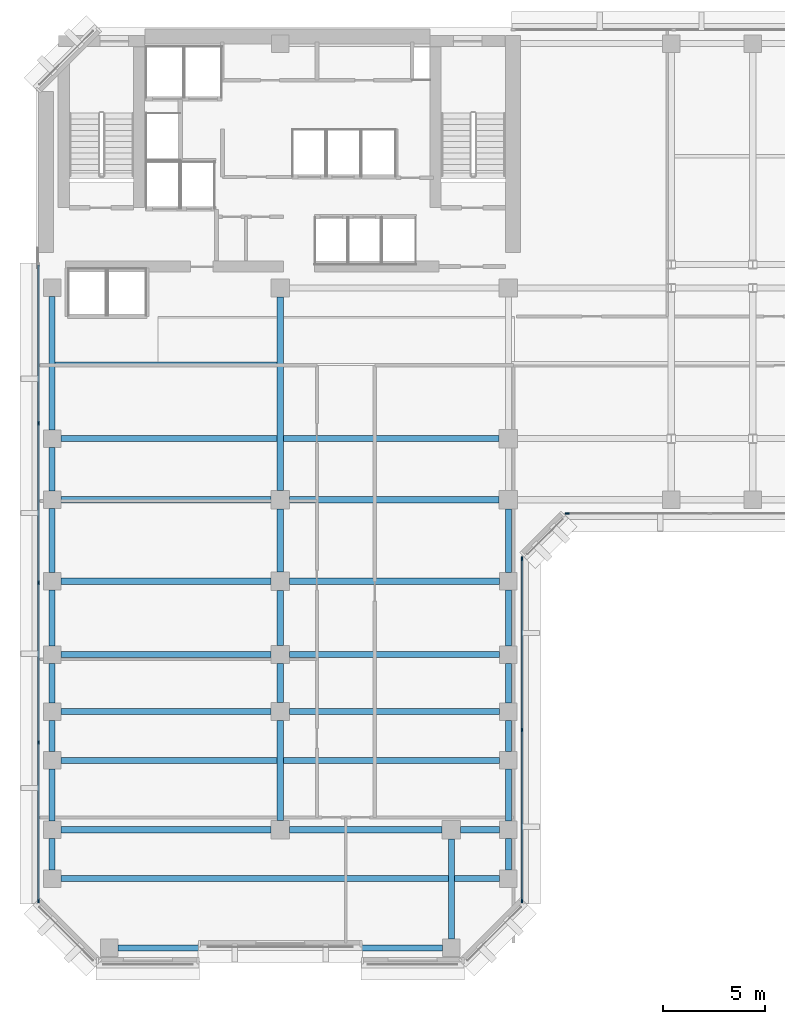
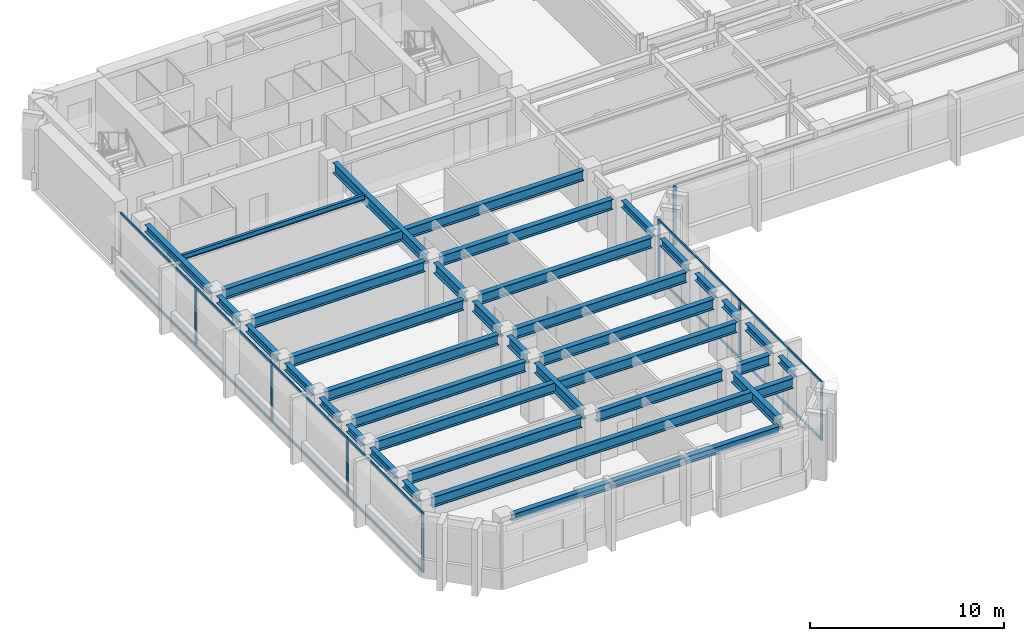
# One storey, part 2 of 11: 36 beams, 20 members, 3 elements without a shape of their own.
"""IFC4 building model written with IfcOpenShell, lengths in metres."""

from ifc_helpers import new_model, si_unit, direction, frame, origin, origin_2d, place, context, subcontext, project, spatial, rectangle, i_section, extrude, material, layer, layer_set, material_profile, profile_set, type_object, element, aggregate, save


model = new_model("IFC4")

# Units and contexts
model_context = context("Model", 3, precision=1e-05, world=origin(), true_north=direction((0.0, 1.0)))
body_context = subcontext(model_context, "Body", "Model", "MODEL_VIEW")
ifc_project = project(units=[si_unit("LENGTHUNIT", "METRE"), si_unit("AREAUNIT", "SQUARE_METRE"), si_unit("VOLUMEUNIT", "CUBIC_METRE"), si_unit("PLANEANGLEUNIT", "RADIAN"), si_unit("MASSUNIT", "GRAM", prefix="KILO")], contexts=[model_context])

# Site, building, storey
site_placement = place(None, origin())
site = spatial("IfcSite", under=ifc_project, at=site_placement, CompositionType="ELEMENT")
building_placement = place(site_placement, origin())
building = spatial("IfcBuilding", under=site, at=building_placement, Name="Kefirva Bronze Tower", CompositionType="ELEMENT")
storey_placement = place(building_placement, frame((0.0, 0.0, 162.68994140625)))
storey = spatial("IfcBuildingStorey", under=building, at=storey_placement, Name="L39", CompositionType="ELEMENT", Elevation=162.68994140625)

# Curtain wall, members
ifc_material_1 = material(Name="Bronze anodised aluminium", Category="aluminium")
ifc_layer = layer(ifc_material_1, 0.199951171875, Name="Bronze anodised aluminium")
ifc_layer_set = layer_set([ifc_layer], Name="Bronze anodised aluminium")
curtain_wall_type = type_object("IfcCurtainWallType", Name="Unitised Bronze Ribbon Curtain Wall Zone 2", PredefinedType="USERDEFINED", material=ifc_layer_set)
curtain_wall_1_placement = place(storey_placement, origin())
curtain_wall_1 = element("IfcCurtainWall", 1, at=curtain_wall_1_placement, inside=storey, type_object=curtain_wall_type, Name="L39 Curtain Wall 1", ObjectType="UNITISED CURTAIN WALL", PredefinedType="USERDEFINED")
ifc_material_profile_1 = material_profile(ifc_material_1, rectangle(XDim=0.074951171875, YDim=0.179931640625, at=origin_2d()), Name="ALU 75x180")
ifc_profile_set_1 = profile_set([ifc_material_profile_1], Name="Bronze anodised aluminium")
member_type_1 = type_object("IfcMemberType", Name="Bronze Mullion 75x180", PredefinedType="MULLION", material=ifc_profile_set_1)
member_1_placement = place(storey_placement, frame((23.8798828125, 3.092529296875, 0.0), z_axis=(0.0, 0.0, 1.0), x_axis=(-1.0, 0.0, 0.0)))
member_1 = element("IfcMember", 2, at=member_1_placement, type_object=member_type_1, Name="CW-02 mullion 1", PredefinedType="MULLION", context=body_context, shape_type="SweptSolid", body=[
    extrude(rectangle(XDim=0.074951171875, YDim=0.179931640625, at=origin_2d()), origin(), (0.0, 0.0, 1.0), 3.7099609375),
])
member_2_placement = place(storey_placement, frame((23.8798828125, 11.5, 0.0), z_axis=(0.0, 0.0, 1.0), x_axis=(-1.0, 0.0, 0.0)))
member_2 = element("IfcMember", 3, at=member_2_placement, type_object=member_type_1, Name="CW-02 mullion 2", PredefinedType="MULLION", context=body_context, shape_type="SweptSolid", body=[
    extrude(rectangle(XDim=0.074951171875, YDim=0.179931640625, at=origin_2d()), origin(), (0.0, 0.0, 1.0), 3.7099609375),
])
member_3_placement = place(storey_placement, frame((23.8798828125, 19.907470703125, 0.0), z_axis=(0.0, 0.0, 1.0), x_axis=(-1.0, 0.0, 0.0)))
member_3 = element("IfcMember", 4, at=member_3_placement, type_object=member_type_1, Name="CW-02 mullion 3", PredefinedType="MULLION", context=body_context, shape_type="SweptSolid", body=[
    extrude(rectangle(XDim=0.074951171875, YDim=0.179931640625, at=origin_2d()), origin(), (0.0, 0.0, 1.0), 3.7099609375),
])

# Curtain wall, member
curtain_wall_2_placement = place(storey_placement, origin())
curtain_wall_2 = element("IfcCurtainWall", 5, at=curtain_wall_2_placement, inside=storey, type_object=curtain_wall_type, Name="L39 Curtain Wall 2", ObjectType="UNITISED CURTAIN WALL", PredefinedType="USERDEFINED")
member_4_placement = place(storey_placement, frame((26.092529296875, 22.1201171875, 0.0), z_axis=(0.0, 0.0, 1.0), x_axis=(0.0, 1.0, 0.0)))
member_4 = element("IfcMember", 6, at=member_4_placement, type_object=member_type_1, Name="CW-02 mullion 1", PredefinedType="MULLION", context=body_context, shape_type="SweptSolid", body=[
    extrude(rectangle(XDim=0.074951171875, YDim=0.179931640625, at=origin_2d()), origin(), (0.0, 0.0, 1.0), 3.7099609375),
])
aggregate(curtain_wall_2, [member_4])

# Curtain wall, members
curtain_wall_3_placement = place(storey_placement, origin())
curtain_wall_3 = element("IfcCurtainWall", 7, at=curtain_wall_3_placement, inside=storey, type_object=curtain_wall_type, Name="L39 Curtain Wall 5", ObjectType="UNITISED CURTAIN WALL", PredefinedType="USERDEFINED")
member_5_placement = place(storey_placement, frame((0.1201171875, 26.56005859375, 0.0), z_axis=(0.0, 0.0, 1.0), x_axis=(1.0, 0.0, 0.0)))
member_5 = element("IfcMember", 8, at=member_5_placement, type_object=member_type_1, Name="CW-02 mullion 2", PredefinedType="MULLION", context=body_context, shape_type="SweptSolid", body=[
    extrude(rectangle(XDim=0.074951171875, YDim=0.179931640625, at=origin_2d()), origin(), (0.0, 0.0, 1.0), 3.7099609375),
])
member_6_placement = place(storey_placement, frame((0.1201171875, 18.72509765625, 0.0), z_axis=(0.0, 0.0, 1.0), x_axis=(1.0, 0.0, 0.0)))
member_6 = element("IfcMember", 9, at=member_6_placement, type_object=member_type_1, Name="CW-02 mullion 3", PredefinedType="MULLION", context=body_context, shape_type="SweptSolid", body=[
    extrude(rectangle(XDim=0.074951171875, YDim=0.179931640625, at=origin_2d()), origin(), (0.0, 0.0, 1.0), 3.7099609375),
])
member_7_placement = place(storey_placement, frame((0.1201171875, 10.889892578125, 0.0), z_axis=(0.0, 0.0, 1.0), x_axis=(1.0, 0.0, 0.0)))
member_7 = element("IfcMember", 10, at=member_7_placement, type_object=member_type_1, Name="CW-02 mullion 4", PredefinedType="MULLION", context=body_context, shape_type="SweptSolid", body=[
    extrude(rectangle(XDim=0.074951171875, YDim=0.179931640625, at=origin_2d()), origin(), (0.0, 0.0, 1.0), 3.7099609375),
])
member_8_placement = place(storey_placement, frame((0.1201171875, 3.092529296875, 0.0), z_axis=(0.0, 0.0, 1.0), x_axis=(1.0, 0.0, 0.0)))
member_8 = element("IfcMember", 11, at=member_8_placement, type_object=member_type_1, Name="CW-02 mullion 5", PredefinedType="MULLION", context=body_context, shape_type="SweptSolid", body=[
    extrude(rectangle(XDim=0.074951171875, YDim=0.179931640625, at=origin_2d()), origin(), (0.0, 0.0, 1.0), 3.7099609375),
])

# Member
ifc_material_profile_2 = material_profile(ifc_material_1, rectangle(XDim=0.074951171875, YDim=0.14990234375, at=origin_2d()), Name="ALU 75x150")
ifc_profile_set_2 = profile_set([ifc_material_profile_2], Name="Bronze anodised aluminium")
member_type_2 = type_object("IfcMemberType", Name="Bronze Transom 75x150", PredefinedType="USERDEFINED", material=ifc_profile_set_2)
member_9_placement = place(storey_placement, frame((23.8798828125, 3.1298828125, 0.03759765625), z_axis=(0.0, 1.0, 0.0), x_axis=(-1.0, 0.0, 0.0)))
member_9 = element("IfcMember", 12, at=member_9_placement, type_object=member_type_2, Name="CW-02 transom 1.1", ObjectType="TRANSOM", PredefinedType="USERDEFINED", context=body_context, shape_type="SweptSolid", body=[
    extrude(rectangle(XDim=0.074951171875, YDim=0.14990234375, at=origin_2d()), origin(), (0.0, 0.0, 1.0), 8.33251953125),
])

member_10_placement = place(storey_placement, frame((23.8798828125, 3.1298828125, 3.672607421875), z_axis=(0.0, 1.0, 0.0), x_axis=(-1.0, 0.0, 0.0)))
member_10 = element("IfcMember", 13, at=member_10_placement, type_object=member_type_2, Name="CW-02 transom 1.2", ObjectType="TRANSOM", PredefinedType="USERDEFINED", context=body_context, shape_type="SweptSolid", body=[
    extrude(rectangle(XDim=0.074951171875, YDim=0.14990234375, at=origin_2d()), origin(), (0.0, 0.0, 1.0), 8.33251953125),
])

member_11_placement = place(storey_placement, frame((23.8798828125, 11.53759765625, 0.03759765625), z_axis=(0.0, 1.0, 0.0), x_axis=(-1.0, 0.0, 0.0)))
member_11 = element("IfcMember", 14, at=member_11_placement, type_object=member_type_2, Name="CW-02 transom 2.1", ObjectType="TRANSOM", PredefinedType="USERDEFINED", context=body_context, shape_type="SweptSolid", body=[
    extrude(rectangle(XDim=0.074951171875, YDim=0.14990234375, at=origin_2d()), origin(), (0.0, 0.0, 1.0), 8.33251953125),
])

member_12_placement = place(storey_placement, frame((23.8798828125, 11.53759765625, 3.672607421875), z_axis=(0.0, 1.0, 0.0), x_axis=(-1.0, 0.0, 0.0)))
member_12 = element("IfcMember", 15, at=member_12_placement, type_object=member_type_2, Name="CW-02 transom 2.2", ObjectType="TRANSOM", PredefinedType="USERDEFINED", context=body_context, shape_type="SweptSolid", body=[
    extrude(rectangle(XDim=0.074951171875, YDim=0.14990234375, at=origin_2d()), origin(), (0.0, 0.0, 1.0), 8.33251953125),
])

aggregate(curtain_wall_1, [member_1, member_2, member_3, member_9, member_10, member_11, member_12])

member_13_placement = place(storey_placement, frame((0.1201171875, 34.320068359375, 0.03759765625), z_axis=(0.0, -1.0, 0.0), x_axis=(1.0, 0.0, 0.0)))
member_13 = element("IfcMember", 16, at=member_13_placement, type_object=member_type_2, Name="CW-02 transom 1.1", ObjectType="TRANSOM", PredefinedType="USERDEFINED", context=body_context, shape_type="SweptSolid", body=[
    extrude(rectangle(XDim=0.074951171875, YDim=0.14990234375, at=origin_2d()), origin(), (0.0, 0.0, 1.0), 7.72265625),
])

member_14_placement = place(storey_placement, frame((0.1201171875, 34.320068359375, 3.672607421875), z_axis=(0.0, -1.0, 0.0), x_axis=(1.0, 0.0, 0.0)))
member_14 = element("IfcMember", 17, at=member_14_placement, type_object=member_type_2, Name="CW-02 transom 1.2", ObjectType="TRANSOM", PredefinedType="USERDEFINED", context=body_context, shape_type="SweptSolid", body=[
    extrude(rectangle(XDim=0.074951171875, YDim=0.14990234375, at=origin_2d()), origin(), (0.0, 0.0, 1.0), 7.72265625),
])

member_15_placement = place(storey_placement, frame((0.1201171875, 26.5224609375, 0.03759765625), z_axis=(0.0, -1.0, 0.0), x_axis=(1.0, 0.0, 0.0)))
member_15 = element("IfcMember", 18, at=member_15_placement, type_object=member_type_2, Name="CW-02 transom 2.1", ObjectType="TRANSOM", PredefinedType="USERDEFINED", context=body_context, shape_type="SweptSolid", body=[
    extrude(rectangle(XDim=0.074951171875, YDim=0.14990234375, at=origin_2d()), origin(), (0.0, 0.0, 1.0), 7.760009765625),
])

member_16_placement = place(storey_placement, frame((0.1201171875, 26.5224609375, 3.672607421875), z_axis=(0.0, -1.0, 0.0), x_axis=(1.0, 0.0, 0.0)))
member_16 = element("IfcMember", 19, at=member_16_placement, type_object=member_type_2, Name="CW-02 transom 2.2", ObjectType="TRANSOM", PredefinedType="USERDEFINED", context=body_context, shape_type="SweptSolid", body=[
    extrude(rectangle(XDim=0.074951171875, YDim=0.14990234375, at=origin_2d()), origin(), (0.0, 0.0, 1.0), 7.760009765625),
])

member_17_placement = place(storey_placement, frame((0.1201171875, 18.6875, 0.03759765625), z_axis=(0.0, -1.0, 0.0), x_axis=(1.0, 0.0, 0.0)))
member_17 = element("IfcMember", 20, at=member_17_placement, type_object=member_type_2, Name="CW-02 transom 3.1", ObjectType="TRANSOM", PredefinedType="USERDEFINED", context=body_context, shape_type="SweptSolid", body=[
    extrude(rectangle(XDim=0.074951171875, YDim=0.14990234375, at=origin_2d()), origin(), (0.0, 0.0, 1.0), 7.760009765625),
])

member_18_placement = place(storey_placement, frame((0.1201171875, 18.6875, 3.672607421875), z_axis=(0.0, -1.0, 0.0), x_axis=(1.0, 0.0, 0.0)))
member_18 = element("IfcMember", 21, at=member_18_placement, type_object=member_type_2, Name="CW-02 transom 3.2", ObjectType="TRANSOM", PredefinedType="USERDEFINED", context=body_context, shape_type="SweptSolid", body=[
    extrude(rectangle(XDim=0.074951171875, YDim=0.14990234375, at=origin_2d()), origin(), (0.0, 0.0, 1.0), 7.760009765625),
])

member_19_placement = place(storey_placement, frame((0.1201171875, 10.8525390625, 0.03759765625), z_axis=(0.0, -1.0, 0.0), x_axis=(1.0, 0.0, 0.0)))
member_19 = element("IfcMember", 22, at=member_19_placement, type_object=member_type_2, Name="CW-02 transom 4.1", ObjectType="TRANSOM", PredefinedType="USERDEFINED", context=body_context, shape_type="SweptSolid", body=[
    extrude(rectangle(XDim=0.074951171875, YDim=0.14990234375, at=origin_2d()), origin(), (0.0, 0.0, 1.0), 7.72265625),
])

member_20_placement = place(storey_placement, frame((0.1201171875, 10.8525390625, 3.672607421875), z_axis=(0.0, -1.0, 0.0), x_axis=(1.0, 0.0, 0.0)))
member_20 = element("IfcMember", 23, at=member_20_placement, type_object=member_type_2, Name="CW-02 transom 4.2", ObjectType="TRANSOM", PredefinedType="USERDEFINED", context=body_context, shape_type="SweptSolid", body=[
    extrude(rectangle(XDim=0.074951171875, YDim=0.14990234375, at=origin_2d()), origin(), (0.0, 0.0, 1.0), 7.72265625),
])

aggregate(curtain_wall_3, [member_5, member_6, member_7, member_8, member_13, member_14, member_15, member_16, member_17, member_18, member_19, member_20])

# Beams
ifc_material_2 = material(Name="Steel S355", Category="steel")
ifc_material_profile_3 = material_profile(ifc_material_2, i_section(OverallWidth=0.159912109375, OverallDepth=0.330078125, WebThickness=0.007568359375, FlangeThickness=0.011474609375, at=origin_2d()), Name="IPE 330")
ifc_profile_set_3 = profile_set([ifc_material_profile_3], Name="Steel S355")
beam_type_1 = type_object("IfcBeamType", Name="Steel Floor Joist IPE 330", PredefinedType="JOIST", material=ifc_profile_set_3)
beam_1_placement = place(storey_placement, frame((0.949951171875, 29.489990234375, 3.545166015625), z_axis=(1.0, 0.0, 0.0), x_axis=(0.0, 1.0, 0.0)))
element("IfcBeam", 24, at=beam_1_placement, inside=storey, type_object=beam_type_1, Name="L39 JST-L39-0-294", PredefinedType="JOIST", context=body_context, shape_type="SweptSolid", body=[
    extrude(i_section(OverallWidth=0.159912109375, OverallDepth=0.330078125, WebThickness=0.007568359375, FlangeThickness=0.011474609375, at=origin_2d()), origin(), (0.0, 0.0, 1.0), 10.900146484375),
])
ifc_material_profile_4 = material_profile(ifc_material_2, i_section(OverallWidth=0.300048828125, OverallDepth=0.64990234375, WebThickness=0.01611328125, FlangeThickness=0.031005859375, at=origin_2d()), Name="HEB 650")
ifc_profile_set_4 = profile_set([ifc_material_profile_4], Name="Steel S355")
beam_type_2 = type_object("IfcBeamType", Name="Steel Girder HEB 650", PredefinedType="USERDEFINED", material=ifc_profile_set_4)
beam_2_placement = place(storey_placement, frame((1.22998046875, 4.199951171875, 3.385009765625), z_axis=(1.0, 0.0, 0.0), x_axis=(0.0, 1.0, 0.0)))
element("IfcBeam", 25, at=beam_2_placement, inside=storey, type_object=beam_type_2, Name="L39 BM-L39-EW-0-42", ObjectType="GIRDER", PredefinedType="USERDEFINED", context=body_context, shape_type="SweptSolid", body=[
    extrude(i_section(OverallWidth=0.300048828125, OverallDepth=0.64990234375, WebThickness=0.01611328125, FlangeThickness=0.031005859375, at=origin_2d()), origin(), (0.0, 0.0, 1.0), 21.5400390625),
])
beam_3_placement = place(storey_placement, frame((1.22998046875, 6.60009765625, 3.385009765625), z_axis=(1.0, 0.0, 0.0), x_axis=(0.0, 1.0, 0.0)))
element("IfcBeam", 26, at=beam_3_placement, inside=storey, type_object=beam_type_2, Name="L39 BM-L39-EW-0-66", ObjectType="GIRDER", PredefinedType="USERDEFINED", context=body_context, shape_type="SweptSolid", body=[
    extrude(i_section(OverallWidth=0.300048828125, OverallDepth=0.64990234375, WebThickness=0.01611328125, FlangeThickness=0.031005859375, at=origin_2d()), origin(), (0.0, 0.0, 1.0), 10.320068359375),
])
beam_4_placement = place(storey_placement, frame((12.449951171875, 6.60009765625, 3.385009765625), z_axis=(1.0, 0.0, 0.0), x_axis=(0.0, 1.0, 0.0)))
element("IfcBeam", 27, at=beam_4_placement, inside=storey, type_object=beam_type_2, Name="L39 BM-L39-EW-12-66", ObjectType="GIRDER", PredefinedType="USERDEFINED", context=body_context, shape_type="SweptSolid", body=[
    extrude(i_section(OverallWidth=0.300048828125, OverallDepth=0.64990234375, WebThickness=0.01611328125, FlangeThickness=0.031005859375, at=origin_2d()), origin(), (0.0, 0.0, 1.0), 7.5),
])
beam_5_placement = place(storey_placement, frame((20.85009765625, 6.60009765625, 3.385009765625), z_axis=(1.0, 0.0, 0.0), x_axis=(0.0, 1.0, 0.0)))
element("IfcBeam", 28, at=beam_5_placement, inside=storey, type_object=beam_type_2, Name="L39 BM-L39-EW-20-66", ObjectType="GIRDER", PredefinedType="USERDEFINED", context=body_context, shape_type="SweptSolid", body=[
    extrude(i_section(OverallWidth=0.300048828125, OverallDepth=0.64990234375, WebThickness=0.01611328125, FlangeThickness=0.031005859375, at=origin_2d()), origin(), (0.0, 0.0, 1.0), 1.919921875),
])
beam_6_placement = place(storey_placement, frame((1.22998046875, 10.0, 3.385009765625), z_axis=(1.0, 0.0, 0.0), x_axis=(0.0, 1.0, 0.0)))
element("IfcBeam", 29, at=beam_6_placement, inside=storey, type_object=beam_type_2, Name="L39 BM-L39-EW-0-100", ObjectType="GIRDER", PredefinedType="USERDEFINED", context=body_context, shape_type="SweptSolid", body=[
    extrude(i_section(OverallWidth=0.300048828125, OverallDepth=0.64990234375, WebThickness=0.01611328125, FlangeThickness=0.031005859375, at=origin_2d()), origin(), (0.0, 0.0, 1.0), 21.5400390625),
])
for number, where, z_axis, x_axis, name in (
    (30, (1.22998046875, 12.39990234375, 3.385009765625), (1.0, 0.0, 0.0), (0.0, 1.0, 0.0), "L39 BM-L39-EW-0-124"),
    (31, (12.449951171875, 12.39990234375, 3.385009765625), (1.0, 0.0, 0.0), (0.0, 1.0, 0.0), "L39 BM-L39-EW-12-124"),
    (32, (1.22998046875, 15.199951171875, 3.385009765625), (1.0, 0.0, 0.0), (0.0, 1.0, 0.0), "L39 BM-L39-EW-0-152"),
    (33, (12.449951171875, 15.199951171875, 3.385009765625), (1.0, 0.0, 0.0), (0.0, 1.0, 0.0), "L39 BM-L39-EW-12-152"),
    (34, (1.22998046875, 18.800048828125, 3.385009765625), (1.0, 0.0, 0.0), (0.0, 1.0, 0.0), "L39 BM-L39-EW-0-188"),
    (35, (12.449951171875, 18.800048828125, 3.385009765625), (1.0, 0.0, 0.0), (0.0, 1.0, 0.0), "L39 BM-L39-EW-12-188"),
    (36, (1.22998046875, 22.800048828125, 3.385009765625), (1.0, 0.0, 0.0), (0.0, 1.0, 0.0), "L39 BM-L39-EW-0-228"),
):
    element("IfcBeam", number, at=place(storey_placement, frame(where, z_axis=z_axis, x_axis=x_axis)), inside=storey, type_object=beam_type_2, Name=name, ObjectType="GIRDER", PredefinedType="USERDEFINED", context=body_context, shape_type="SweptSolid", body=[
        extrude(i_section(OverallWidth=0.300048828125, OverallDepth=0.64990234375, WebThickness=0.01611328125, FlangeThickness=0.031005859375, at=origin_2d()), origin(), (0.0, 0.0, 1.0), 10.320068359375),
    ])
beam_7_placement = place(storey_placement, frame((12.449951171875, 22.800048828125, 3.385009765625), z_axis=(1.0, 0.0, 0.0), x_axis=(0.0, 1.0, 0.0)))
element("IfcBeam", 37, at=beam_7_placement, inside=storey, type_object=beam_type_2, Name="L39 BM-L39-EW-12-228", ObjectType="GIRDER", PredefinedType="USERDEFINED", context=body_context, shape_type="SweptSolid", body=[
    extrude(i_section(OverallWidth=0.300048828125, OverallDepth=0.64990234375, WebThickness=0.01611328125, FlangeThickness=0.031005859375, at=origin_2d()), origin(), (0.0, 0.0, 1.0), 10.300048828125),
])
beam_8_placement = place(storey_placement, frame((1.22998046875, 25.800048828125, 3.385009765625), z_axis=(1.0, 0.0, 0.0), x_axis=(0.0, 1.0, 0.0)))
element("IfcBeam", 38, at=beam_8_placement, inside=storey, type_object=beam_type_2, Name="L39 BM-L39-EW-0-258", ObjectType="GIRDER", PredefinedType="USERDEFINED", context=body_context, shape_type="SweptSolid", body=[
    extrude(i_section(OverallWidth=0.300048828125, OverallDepth=0.64990234375, WebThickness=0.01611328125, FlangeThickness=0.031005859375, at=origin_2d()), origin(), (0.0, 0.0, 1.0), 21.52001953125),
])
beam_9_placement = place(storey_placement, frame((12.0, 7.050048828125, 3.385009765625), z_axis=(0.0, 1.0, 0.0), x_axis=(-1.0, 0.0, 0.0)))
element("IfcBeam", 39, at=beam_9_placement, inside=storey, type_object=beam_type_2, Name="L39 BM-L39-NS-120-6", ObjectType="GIRDER", PredefinedType="USERDEFINED", context=body_context, shape_type="SweptSolid", body=[
    extrude(i_section(OverallWidth=0.300048828125, OverallDepth=0.64990234375, WebThickness=0.01611328125, FlangeThickness=0.031005859375, at=origin_2d()), origin(), (0.0, 0.0, 1.0), 4.89990234375),
])
beam_10_placement = place(storey_placement, frame((12.0, 12.85009765625, 3.385009765625), z_axis=(0.0, 1.0, 0.0), x_axis=(-1.0, 0.0, 0.0)))
element("IfcBeam", 40, at=beam_10_placement, inside=storey, type_object=beam_type_2, Name="L39 BM-L39-NS-120-12", ObjectType="GIRDER", PredefinedType="USERDEFINED", context=body_context, shape_type="SweptSolid", body=[
    extrude(i_section(OverallWidth=0.300048828125, OverallDepth=0.64990234375, WebThickness=0.01611328125, FlangeThickness=0.031005859375, at=origin_2d()), origin(), (0.0, 0.0, 1.0), 1.89990234375),
])
beam_11_placement = place(storey_placement, frame((12.0, 15.64990234375, 3.385009765625), z_axis=(0.0, 1.0, 0.0), x_axis=(-1.0, 0.0, 0.0)))
element("IfcBeam", 41, at=beam_11_placement, inside=storey, type_object=beam_type_2, Name="L39 BM-L39-NS-120-15", ObjectType="GIRDER", PredefinedType="USERDEFINED", context=body_context, shape_type="SweptSolid", body=[
    extrude(i_section(OverallWidth=0.300048828125, OverallDepth=0.64990234375, WebThickness=0.01611328125, FlangeThickness=0.031005859375, at=origin_2d()), origin(), (0.0, 0.0, 1.0), 2.7001953125),
])
beam_12_placement = place(storey_placement, frame((12.0, 19.25, 3.385009765625), z_axis=(0.0, 1.0, 0.0), x_axis=(-1.0, 0.0, 0.0)))
element("IfcBeam", 42, at=beam_12_placement, inside=storey, type_object=beam_type_2, Name="L39 BM-L39-NS-120-18", ObjectType="GIRDER", PredefinedType="USERDEFINED", context=body_context, shape_type="SweptSolid", body=[
    extrude(i_section(OverallWidth=0.300048828125, OverallDepth=0.64990234375, WebThickness=0.01611328125, FlangeThickness=0.031005859375, at=origin_2d()), origin(), (0.0, 0.0, 1.0), 3.10009765625),
])
beam_13_placement = place(storey_placement, frame((12.0, 23.25, 3.385009765625), z_axis=(0.0, 1.0, 0.0), x_axis=(-1.0, 0.0, 0.0)))
element("IfcBeam", 43, at=beam_13_placement, inside=storey, type_object=beam_type_2, Name="L39 BM-L39-NS-120-22", ObjectType="GIRDER", PredefinedType="USERDEFINED", context=body_context, shape_type="SweptSolid", body=[
    extrude(i_section(OverallWidth=0.300048828125, OverallDepth=0.64990234375, WebThickness=0.01611328125, FlangeThickness=0.031005859375, at=origin_2d()), origin(), (0.0, 0.0, 1.0), 9.5),
])
beam_14_placement = place(storey_placement, frame((20.39990234375, 1.22998046875, 3.385009765625), z_axis=(0.0, 1.0, 0.0), x_axis=(-1.0, 0.0, 0.0)))
element("IfcBeam", 44, at=beam_14_placement, inside=storey, type_object=beam_type_2, Name="L39 BM-L39-NS-204-0", ObjectType="GIRDER", PredefinedType="USERDEFINED", context=body_context, shape_type="SweptSolid", body=[
    extrude(i_section(OverallWidth=0.300048828125, OverallDepth=0.64990234375, WebThickness=0.01611328125, FlangeThickness=0.031005859375, at=origin_2d()), origin(), (0.0, 0.0, 1.0), 4.919921875),
])
ifc_material_profile_5 = material_profile(ifc_material_2, i_section(OverallWidth=0.300048828125, OverallDepth=0.449951171875, WebThickness=0.013916015625, FlangeThickness=0.02587890625, at=origin_2d()), Name="HEB 450")
ifc_profile_set_5 = profile_set([ifc_material_profile_5], Name="Steel S355")
beam_type_3 = type_object("IfcBeamType", Name="Steel Spandrel HEB 450 Ext", PredefinedType="SPANDREL", material=ifc_profile_set_5)
beam_15_placement = place(storey_placement, frame((4.030029296875, 0.800048828125, 3.485107421875), z_axis=(1.0, 0.0, 0.0), x_axis=(0.0, 1.0, 0.0)))
element("IfcBeam", 45, at=beam_15_placement, inside=storey, type_object=beam_type_3, Name="L39 BM-L39-EW-3-8", PredefinedType="SPANDREL", context=body_context, shape_type="SweptSolid", body=[
    extrude(i_section(OverallWidth=0.300048828125, OverallDepth=0.449951171875, WebThickness=0.013916015625, FlangeThickness=0.02587890625, at=origin_2d()), origin(), (0.0, 0.0, 1.0), 15.93994140625),
])
beam_16_placement = place(storey_placement, frame((0.800048828125, 4.6298828125, 3.485107421875), z_axis=(0.0, 1.0, 0.0), x_axis=(-1.0, 0.0, 0.0)))
element("IfcBeam", 46, at=beam_16_placement, inside=storey, type_object=beam_type_3, Name="L39 BM-L39-NS-8-4", PredefinedType="SPANDREL", context=body_context, shape_type="SweptSolid", body=[
    extrude(i_section(OverallWidth=0.300048828125, OverallDepth=0.449951171875, WebThickness=0.013916015625, FlangeThickness=0.02587890625, at=origin_2d()), origin(), (0.0, 0.0, 1.0), 1.5400390625),
])
beam_17_placement = place(storey_placement, frame((0.800048828125, 7.030029296875, 3.485107421875), z_axis=(0.0, 1.0, 0.0), x_axis=(-1.0, 0.0, 0.0)))
element("IfcBeam", 47, at=beam_17_placement, inside=storey, type_object=beam_type_3, Name="L39 BM-L39-NS-8-6", PredefinedType="SPANDREL", context=body_context, shape_type="SweptSolid", body=[
    extrude(i_section(OverallWidth=0.300048828125, OverallDepth=0.449951171875, WebThickness=0.013916015625, FlangeThickness=0.02587890625, at=origin_2d()), origin(), (0.0, 0.0, 1.0), 2.5400390625),
])
beam_18_placement = place(storey_placement, frame((0.800048828125, 10.429931640625, 3.485107421875), z_axis=(0.0, 1.0, 0.0), x_axis=(-1.0, 0.0, 0.0)))
element("IfcBeam", 48, at=beam_18_placement, inside=storey, type_object=beam_type_3, Name="L39 BM-L39-NS-8-10", PredefinedType="SPANDREL", context=body_context, shape_type="SweptSolid", body=[
    extrude(i_section(OverallWidth=0.300048828125, OverallDepth=0.449951171875, WebThickness=0.013916015625, FlangeThickness=0.02587890625, at=origin_2d()), origin(), (0.0, 0.0, 1.0), 1.5400390625),
])
beam_19_placement = place(storey_placement, frame((0.800048828125, 12.830078125, 3.485107421875), z_axis=(0.0, 1.0, 0.0), x_axis=(-1.0, 0.0, 0.0)))
element("IfcBeam", 49, at=beam_19_placement, inside=storey, type_object=beam_type_3, Name="L39 BM-L39-NS-8-12", PredefinedType="SPANDREL", context=body_context, shape_type="SweptSolid", body=[
    extrude(i_section(OverallWidth=0.300048828125, OverallDepth=0.449951171875, WebThickness=0.013916015625, FlangeThickness=0.02587890625, at=origin_2d()), origin(), (0.0, 0.0, 1.0), 1.93994140625),
])
beam_20_placement = place(storey_placement, frame((0.800048828125, 15.6298828125, 3.485107421875), z_axis=(0.0, 1.0, 0.0), x_axis=(-1.0, 0.0, 0.0)))
element("IfcBeam", 50, at=beam_20_placement, inside=storey, type_object=beam_type_3, Name="L39 BM-L39-NS-8-15", PredefinedType="SPANDREL", context=body_context, shape_type="SweptSolid", body=[
    extrude(i_section(OverallWidth=0.300048828125, OverallDepth=0.449951171875, WebThickness=0.013916015625, FlangeThickness=0.02587890625, at=origin_2d()), origin(), (0.0, 0.0, 1.0), 2.740234375),
])
beam_21_placement = place(storey_placement, frame((0.800048828125, 19.22998046875, 3.485107421875), z_axis=(0.0, 1.0, 0.0), x_axis=(-1.0, 0.0, 0.0)))
element("IfcBeam", 51, at=beam_21_placement, inside=storey, type_object=beam_type_3, Name="L39 BM-L39-NS-8-18", PredefinedType="SPANDREL", context=body_context, shape_type="SweptSolid", body=[
    extrude(i_section(OverallWidth=0.300048828125, OverallDepth=0.449951171875, WebThickness=0.013916015625, FlangeThickness=0.02587890625, at=origin_2d()), origin(), (0.0, 0.0, 1.0), 3.14013671875),
])
beam_22_placement = place(storey_placement, frame((0.800048828125, 23.22998046875, 3.485107421875), z_axis=(0.0, 1.0, 0.0), x_axis=(-1.0, 0.0, 0.0)))
element("IfcBeam", 52, at=beam_22_placement, inside=storey, type_object=beam_type_3, Name="L39 BM-L39-NS-8-22", PredefinedType="SPANDREL", context=body_context, shape_type="SweptSolid", body=[
    extrude(i_section(OverallWidth=0.300048828125, OverallDepth=0.449951171875, WebThickness=0.013916015625, FlangeThickness=0.02587890625, at=origin_2d()), origin(), (0.0, 0.0, 1.0), 2.14013671875),
])
beam_23_placement = place(storey_placement, frame((0.800048828125, 26.22998046875, 3.485107421875), z_axis=(0.0, 1.0, 0.0), x_axis=(-1.0, 0.0, 0.0)))
element("IfcBeam", 53, at=beam_23_placement, inside=storey, type_object=beam_type_3, Name="L39 BM-L39-NS-8-25", PredefinedType="SPANDREL", context=body_context, shape_type="SweptSolid", body=[
    extrude(i_section(OverallWidth=0.300048828125, OverallDepth=0.449951171875, WebThickness=0.013916015625, FlangeThickness=0.02587890625, at=origin_2d()), origin(), (0.0, 0.0, 1.0), 6.5400390625),
])
beam_24_placement = place(storey_placement, frame((23.199951171875, 4.6298828125, 3.485107421875), z_axis=(0.0, 1.0, 0.0), x_axis=(-1.0, 0.0, 0.0)))
element("IfcBeam", 54, at=beam_24_placement, inside=storey, type_object=beam_type_3, Name="L39 BM-L39-NS-232-4", PredefinedType="SPANDREL", context=body_context, shape_type="SweptSolid", body=[
    extrude(i_section(OverallWidth=0.300048828125, OverallDepth=0.449951171875, WebThickness=0.013916015625, FlangeThickness=0.02587890625, at=origin_2d()), origin(), (0.0, 0.0, 1.0), 1.5400390625),
])
beam_25_placement = place(storey_placement, frame((23.199951171875, 7.030029296875, 3.485107421875), z_axis=(0.0, 1.0, 0.0), x_axis=(-1.0, 0.0, 0.0)))
element("IfcBeam", 55, at=beam_25_placement, inside=storey, type_object=beam_type_3, Name="L39 BM-L39-NS-232-6", PredefinedType="SPANDREL", context=body_context, shape_type="SweptSolid", body=[
    extrude(i_section(OverallWidth=0.300048828125, OverallDepth=0.449951171875, WebThickness=0.013916015625, FlangeThickness=0.02587890625, at=origin_2d()), origin(), (0.0, 0.0, 1.0), 2.5400390625),
])
beam_26_placement = place(storey_placement, frame((23.199951171875, 10.429931640625, 3.485107421875), z_axis=(0.0, 1.0, 0.0), x_axis=(-1.0, 0.0, 0.0)))
element("IfcBeam", 56, at=beam_26_placement, inside=storey, type_object=beam_type_3, Name="L39 BM-L39-NS-232-10", PredefinedType="SPANDREL", context=body_context, shape_type="SweptSolid", body=[
    extrude(i_section(OverallWidth=0.300048828125, OverallDepth=0.449951171875, WebThickness=0.013916015625, FlangeThickness=0.02587890625, at=origin_2d()), origin(), (0.0, 0.0, 1.0), 1.5400390625),
])
beam_27_placement = place(storey_placement, frame((23.199951171875, 12.830078125, 3.485107421875), z_axis=(0.0, 1.0, 0.0), x_axis=(-1.0, 0.0, 0.0)))
element("IfcBeam", 57, at=beam_27_placement, inside=storey, type_object=beam_type_3, Name="L39 BM-L39-NS-232-12", PredefinedType="SPANDREL", context=body_context, shape_type="SweptSolid", body=[
    extrude(i_section(OverallWidth=0.300048828125, OverallDepth=0.449951171875, WebThickness=0.013916015625, FlangeThickness=0.02587890625, at=origin_2d()), origin(), (0.0, 0.0, 1.0), 1.93994140625),
])
beam_28_placement = place(storey_placement, frame((23.199951171875, 15.6298828125, 3.485107421875), z_axis=(0.0, 1.0, 0.0), x_axis=(-1.0, 0.0, 0.0)))
element("IfcBeam", 58, at=beam_28_placement, inside=storey, type_object=beam_type_3, Name="L39 BM-L39-NS-232-15", PredefinedType="SPANDREL", context=body_context, shape_type="SweptSolid", body=[
    extrude(i_section(OverallWidth=0.300048828125, OverallDepth=0.449951171875, WebThickness=0.013916015625, FlangeThickness=0.02587890625, at=origin_2d()), origin(), (0.0, 0.0, 1.0), 2.740234375),
])
beam_29_placement = place(storey_placement, frame((23.199951171875, 19.22998046875, 3.485107421875), z_axis=(0.0, 1.0, 0.0), x_axis=(-1.0, 0.0, 0.0)))
element("IfcBeam", 59, at=beam_29_placement, inside=storey, type_object=beam_type_3, Name="L39 BM-L39-NS-232-18", PredefinedType="SPANDREL", context=body_context, shape_type="SweptSolid", body=[
    extrude(i_section(OverallWidth=0.300048828125, OverallDepth=0.449951171875, WebThickness=0.013916015625, FlangeThickness=0.02587890625, at=origin_2d()), origin(), (0.0, 0.0, 1.0), 3.1201171875),
])

save(model, "model.ifc")
